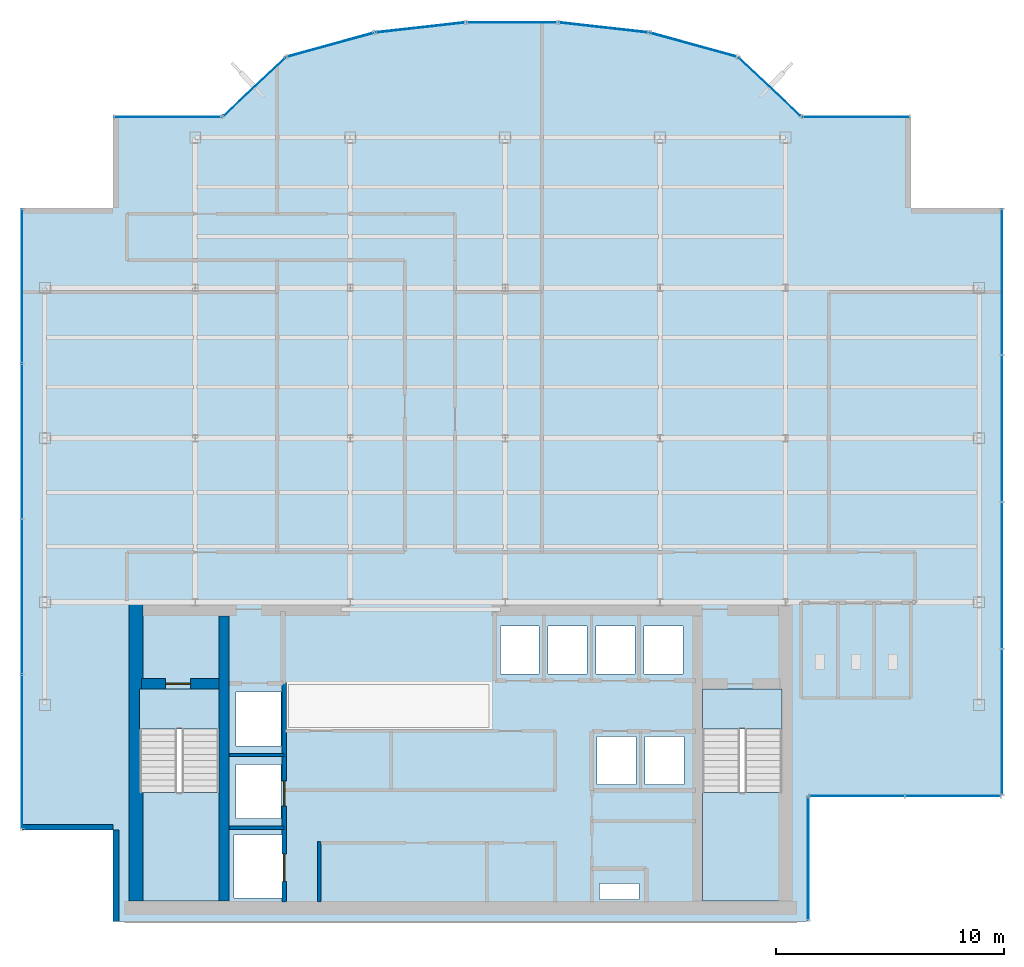
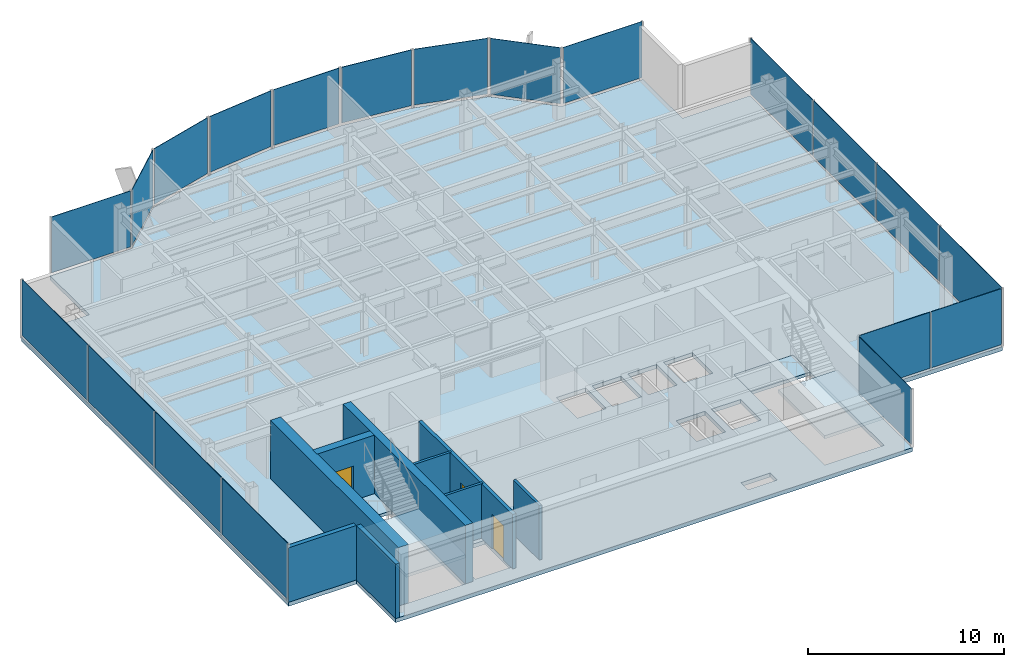
# One storey, part 16 of 22: 20 plates, 9 walls, 5 slabs, 3 doors, 3 openings, 15 elements without a shape of their own.
"""IFC4 building model written with IfcOpenShell, lengths in metres."""

from ifc_helpers import new_model, si_unit, derived_unit, direction, frame, frame_2d, origin, origin_2d, place, context, subcontext, project, spatial, polyline, rectangle, outline, extrude, source, transform, mapped, material, layer, layer_set, type_object, element, fill, aggregate, save


model = new_model("IFC4")

# Units and contexts
model_context = context("Model", 3, precision=1e-05, world=origin(), true_north=direction((0.0, 1.0)))
body_context = subcontext(model_context, "Body", "Model", "MODEL_VIEW")
ifc_project = project(units=[si_unit("LENGTHUNIT", "METRE"), si_unit("AREAUNIT", "SQUARE_METRE"), si_unit("VOLUMEUNIT", "CUBIC_METRE"), si_unit("PLANEANGLEUNIT", "RADIAN"), si_unit("MASSUNIT", "GRAM", prefix="KILO"), derived_unit("THERMALTRANSMITTANCEUNIT", [(si_unit("POWERUNIT", "WATT"), 1), (si_unit("LENGTHUNIT", "METRE"), -2), (si_unit("THERMODYNAMICTEMPERATUREUNIT", "KELVIN"), -1)])], contexts=[model_context])

# Site, building, storey
site_placement = place(None, origin())
site = spatial("IfcSite", under=ifc_project, at=site_placement, CompositionType="ELEMENT")
building_placement = place(site_placement, origin())
building = spatial("IfcBuilding", under=site, at=building_placement, Name="Skarnbrae Concourse Arena and Tower", CompositionType="ELEMENT")
storey_placement = place(building_placement, frame((0.0, 0.0, 214.14990234375)))
storey = spatial("IfcBuildingStorey", under=building, at=storey_placement, Name="L55", CompositionType="ELEMENT", Elevation=214.14990234375)

# Stair, slab
ifc_material_1 = material(Name="Concrete 40 MPa (C40/50)", Category="concrete")
stair_type = type_object("IfcStairType", Name="STAIR-DOGLEG-1650", PredefinedType="HALF_TURN_STAIR", material=ifc_material_1)
stair_1_placement = place(storey_placement, origin())
stair_1 = element("IfcStair", 1, at=stair_1_placement, inside=storey, type_object=stair_type, Name="L55 Protected Exit Stair ST-1", PredefinedType="HALF_TURN_STAIR")
ifc_layer_1 = layer(ifc_material_1, 0.199951171875)
ifc_layer_set_1 = layer_set([ifc_layer_1], Name="Concrete 40 MPa (C40/50)")
slab_type_1 = type_object("IfcSlabType", Name="SLAB-LANDING-200", PredefinedType="LANDING", material=ifc_layer_set_1)
slab_1_placement = place(storey_placement, frame((0.0, 0.0, 1.625)))
slab_1 = element("IfcSlab", 2, at=slab_1_placement, type_object=slab_type_1, Name="ST-1 landing 1", PredefinedType="LANDING", context=body_context, shape_type="SweptSolid", body=[
    extrude(outline(polyline([(5.14990234375, 5.64990234375), (5.14990234375, 0.89990234375), (8.64990234375, 0.89990234375), (8.64990234375, 5.64990234375), (5.14990234375, 5.64990234375)])), origin(), (0.0, 0.0, 1.0), 0.2001953125),
])
aggregate(stair_1, [slab_1])

stair_2_placement = place(storey_placement, origin())
stair_2 = element("IfcStair", 3, at=stair_2_placement, inside=storey, type_object=stair_type, Name="L55 Protected Exit Stair ST-2", PredefinedType="HALF_TURN_STAIR")
slab_2_placement = place(storey_placement, frame((0.0, 0.0, 1.625)))
slab_2 = element("IfcSlab", 4, at=slab_2_placement, type_object=slab_type_1, Name="ST-2 landing 1", PredefinedType="LANDING", context=body_context, shape_type="SweptSolid", body=[
    extrude(outline(polyline([(29.85009765625, 5.64990234375), (29.85009765625, 0.89990234375), (33.35009765625, 0.89990234375), (33.35009765625, 5.64990234375), (29.85009765625, 5.64990234375)])), origin(), (0.0, 0.0, 1.0), 0.2001953125),
])
aggregate(stair_2, [slab_2])

# Slabs
slab_3_placement = place(storey_placement, frame((0.0, 0.0, -0.199951171875)))
element("IfcSlab", 5, at=slab_3_placement, inside=storey, type_object=slab_type_1, Name="L55 Core stair ST1 floor landing", PredefinedType="LANDING", context=body_context, shape_type="SweptSolid", body=[
    extrude(outline(polyline([(5.14990234375, 10.199951171875), (5.14990234375, 8.449951171875), (8.64990234375, 8.449951171875), (8.64990234375, 10.199951171875), (5.14990234375, 10.199951171875)])), origin(), (0.0, 0.0, 1.0), 0.199951171875),
])
slab_4_placement = place(storey_placement, frame((0.0, 0.0, -0.199951171875)))
element("IfcSlab", 6, at=slab_4_placement, inside=storey, type_object=slab_type_1, Name="L55 Core stair ST2 floor landing", PredefinedType="LANDING", context=body_context, shape_type="SweptSolid", body=[
    extrude(outline(polyline([(29.85009765625, 10.199951171875), (29.85009765625, 8.449951171875), (33.35009765625, 8.449951171875), (33.35009765625, 10.199951171875), (29.85009765625, 10.199951171875)])), origin(), (0.0, 0.0, 1.0), 0.199951171875),
])
ifc_layer_2 = layer(ifc_material_1, 0.25)
ifc_layer_set_2 = layer_set([ifc_layer_2], Name="Concrete 40 MPa (C40/50)")
slab_type_2 = type_object("IfcSlabType", Name="SLAB-TOWER-250", PredefinedType="FLOOR", material=ifc_layer_set_2)
slab_5_placement = place(storey_placement, frame((0.0, 0.0, -0.25)))
element("IfcSlab", 7, at=slab_5_placement, inside=storey, type_object=slab_type_2, Name="L55 Structural floor slab", PredefinedType="FLOOR", context=body_context, shape_type="SweptSolid", body=[
    extrude(outline(polyline([(4.0, 0.0), (34.5, 0.0), (34.5, 5.5), (43.0, 5.5), (43.0, 31.300048828125), (39.0, 31.300048828125), (39.0, 35.300048828125), (34.199951171875, 35.300048828125), (31.40966796875, 37.9267578125), (27.52587890625, 38.9970703125), (23.51708984375, 39.44677734375), (19.48291015625, 39.44677734375), (15.47412109375, 38.9970703125), (11.59033203125, 37.9267578125), (8.800048828125, 35.300048828125), (4.0, 35.300048828125), (4.0, 31.300048828125), (0.0, 31.300048828125), (0.0, 4.0), (4.0, 4.0), (4.0, 0.0)]), holes=[polyline([(9.294921875, 1.02001953125), (9.294921875, 3.780029296875), (11.455078125, 3.780029296875), (11.455078125, 1.02001953125), (9.294921875, 1.02001953125)]), polyline([(8.64990234375, 10.199951171875), (8.64990234375, 0.89990234375), (5.14990234375, 0.89990234375), (5.14990234375, 10.199951171875), (8.64990234375, 10.199951171875)]), polyline([(9.39501953125, 6.8798828125), (11.35498046875, 6.8798828125), (11.35498046875, 4.52001953125), (9.39501953125, 4.52001953125), (9.39501953125, 6.8798828125)]), polyline([(9.39501953125, 7.695068359375), (9.39501953125, 10.054931640625), (11.35498046875, 10.054931640625), (11.35498046875, 7.695068359375), (9.39501953125, 7.695068359375)]), polyline([(20.985107421875, 12.955078125), (22.695068359375, 12.955078125), (22.695068359375, 10.844970703125), (20.985107421875, 10.844970703125), (20.985107421875, 12.955078125)]), polyline([(23.0849609375, 12.955078125), (24.794921875, 12.955078125), (24.794921875, 10.844970703125), (23.0849609375, 10.844970703125), (23.0849609375, 12.955078125)]), polyline([(25.35009765625, 0.949951171875), (25.35009765625, 1.669921875), (27.080078125, 1.669921875), (27.080078125, 0.949951171875), (25.35009765625, 0.949951171875)]), polyline([(33.35009765625, 10.199951171875), (33.35009765625, 0.89990234375), (29.85009765625, 0.89990234375), (29.85009765625, 10.199951171875), (33.35009765625, 10.199951171875)]), polyline([(25.235107421875, 8.10498046875), (26.945068359375, 8.10498046875), (26.945068359375, 5.9951171875), (25.235107421875, 5.9951171875), (25.235107421875, 8.10498046875)]), polyline([(27.3349609375, 5.9951171875), (27.3349609375, 8.10498046875), (29.044921875, 8.10498046875), (29.044921875, 5.9951171875), (27.3349609375, 5.9951171875)]), polyline([(25.18505859375, 12.955078125), (26.89501953125, 12.955078125), (26.89501953125, 10.844970703125), (25.18505859375, 10.844970703125), (25.18505859375, 12.955078125)]), polyline([(27.284912109375, 12.955078125), (28.9951171875, 12.955078125), (28.9951171875, 10.844970703125), (27.284912109375, 10.844970703125), (27.284912109375, 12.955078125)])]), origin(), (0.0, 0.0, 1.0), 0.25),
])

# Curtain wall, plate
ifc_material_2 = material(Name="Bronze anodised aluminium 6063-T6", Category="aluminium")
curtain_wall_type_1 = type_object("IfcCurtainWallType", Name="CW-SYS-05-HIGHZONE", PredefinedType="USERDEFINED", material=ifc_material_2)
curtain_wall_1_placement = place(storey_placement, origin())
curtain_wall_1 = element("IfcCurtainWall", 8, at=curtain_wall_1_placement, inside=storey, type_object=curtain_wall_type_1, Name="L55 Unitised curtain wall CW-L55-E02", ObjectType="UNITISED CURTAIN WALL", PredefinedType="USERDEFINED")
ifc_material_3 = material(Name="Low-E triple insulating glass", Category="glass")
ifc_layer_3 = layer(ifc_material_3, 0.030029296875)
ifc_layer_set_3 = layer_set([ifc_layer_3], Name="Low-E triple insulating glass")
plate_type_1 = type_object("IfcPlateType", Name="CWP-CW-05", PredefinedType="CURTAIN_PANEL", material=ifc_layer_set_3)
shared_shape_1 = source(origin(), body_context, "Body", "SweptSolid", [
    extrude(rectangle(XDim=5.35009765625, YDim=0.030029296875, at=origin_2d()), origin(), (0.0, 0.0, 1.0), 3.5),
])
plate_1_placement = place(storey_placement, frame((34.5, 2.75, 0.150146484375), z_axis=(0.0, 0.0, 1.0), x_axis=(0.0, 1.0, 0.0)))
plate_1 = element("IfcPlate", 9, at=plate_1_placement, type_object=plate_type_1, Name="CW-L55-E02 Low-E Glazing Panel 1", PredefinedType="CURTAIN_PANEL", context=body_context, shape_type="MappedRepresentation", body=[
    mapped(shared_shape_1, transform((0.0, 0.0, 0.0))),
])
aggregate(curtain_wall_1, [plate_1])

# Curtain wall, plates
curtain_wall_2_placement = place(storey_placement, origin())
curtain_wall_2 = element("IfcCurtainWall", 10, at=curtain_wall_2_placement, inside=storey, type_object=curtain_wall_type_1, Name="L55 Unitised curtain wall CW-L55-E03", ObjectType="UNITISED CURTAIN WALL", PredefinedType="USERDEFINED")
shared_shape_2 = source(origin(), body_context, "Body", "SweptSolid", [
    extrude(rectangle(XDim=4.137451171875, YDim=0.030029296875, at=origin_2d()), origin(), (0.0, 0.0, 1.0), 3.5),
])
plate_2_placement = place(storey_placement, frame((36.643798828125, 5.5, 0.150146484375), z_axis=(0.0, 0.0, 1.0), x_axis=(1.0, 0.0, 0.0)))
plate_2 = element("IfcPlate", 11, at=plate_2_placement, type_object=plate_type_1, Name="CW-L55-E03 Low-E Glazing Panel 1", PredefinedType="CURTAIN_PANEL", context=body_context, shape_type="MappedRepresentation", body=[
    mapped(shared_shape_2, transform((0.0, 0.0, 0.0))),
])
plate_3_placement = place(storey_placement, frame((40.856201171875, 5.5, 0.150146484375), z_axis=(0.0, 0.0, 1.0), x_axis=(1.0, 0.0, 0.0)))
plate_3 = element("IfcPlate", 12, at=plate_3_placement, type_object=plate_type_1, Name="CW-L55-E03 Low-E Glazing Panel 2", PredefinedType="CURTAIN_PANEL", context=body_context, shape_type="MappedRepresentation", body=[
    mapped(shared_shape_2, transform((0.0, 0.0, 0.0))),
])
aggregate(curtain_wall_2, [plate_2, plate_3])

# Curtain wall, plate
curtain_wall_3_placement = place(storey_placement, origin())
curtain_wall_3 = element("IfcCurtainWall", 13, at=curtain_wall_3_placement, inside=storey, type_object=curtain_wall_type_1, Name="L55 Unitised curtain wall CW-L55-E07", ObjectType="UNITISED CURTAIN WALL", PredefinedType="USERDEFINED")
shared_shape_3 = source(origin(), body_context, "Body", "SweptSolid", [
    extrude(rectangle(XDim=4.64990234375, YDim=0.030029296875, at=origin_2d()), origin(), (0.0, 0.0, 1.0), 3.5),
])
plate_4_placement = place(storey_placement, frame((36.60009765625, 35.300048828125, 0.150146484375), z_axis=(0.0, 0.0, 1.0), x_axis=(-1.0, 0.0, 0.0)))
plate_4 = element("IfcPlate", 14, at=plate_4_placement, type_object=plate_type_1, Name="CW-L55-E07 Low-E Glazing Panel 1", PredefinedType="CURTAIN_PANEL", context=body_context, shape_type="MappedRepresentation", body=[
    mapped(shared_shape_3, transform((0.0, 0.0, 0.0))),
])
aggregate(curtain_wall_3, [plate_4])

curtain_wall_4_placement = place(storey_placement, origin())
curtain_wall_4 = element("IfcCurtainWall", 15, at=curtain_wall_4_placement, inside=storey, type_object=curtain_wall_type_1, Name="L55 Unitised curtain wall CW-L55-E15", ObjectType="UNITISED CURTAIN WALL", PredefinedType="USERDEFINED")
plate_5_placement = place(storey_placement, frame((6.39990234375, 35.300048828125, 0.150146484375), z_axis=(0.0, 0.0, 1.0), x_axis=(-1.0, 0.0, 0.0)))
plate_5 = element("IfcPlate", 16, at=plate_5_placement, type_object=plate_type_1, Name="CW-L55-E15 Low-E Glazing Panel 1", PredefinedType="CURTAIN_PANEL", context=body_context, shape_type="MappedRepresentation", body=[
    mapped(shared_shape_3, transform((0.0, 0.0, 0.0))),
])
aggregate(curtain_wall_4, [plate_5])

curtain_wall_5_placement = place(storey_placement, origin())
curtain_wall_5 = element("IfcCurtainWall", 17, at=curtain_wall_5_placement, inside=storey, type_object=curtain_wall_type_1, Name="L55 Unitised curtain wall CW-L55-E08", ObjectType="UNITISED CURTAIN WALL", PredefinedType="USERDEFINED")
shared_shape_4 = source(origin(), body_context, "Body", "SweptSolid", [
    extrude(rectangle(XDim=3.68212890625, YDim=0.030029296875, at=origin_2d()), origin(), (0.0, 0.0, 1.0), 3.5),
])
plate_6_placement = place(storey_placement, frame((32.804931640625, 36.61328125, 0.150146484375), z_axis=(0.0, 0.0, 1.0), x_axis=(-0.728130555214, 0.685438468838, 0.0)))
plate_6 = element("IfcPlate", 18, at=plate_6_placement, type_object=plate_type_1, Name="CW-L55-E08 Low-E Glazing Panel 1", PredefinedType="CURTAIN_PANEL", context=body_context, shape_type="MappedRepresentation", body=[
    mapped(shared_shape_4, transform((0.0, 0.0, 0.0))),
])
aggregate(curtain_wall_5, [plate_6])

curtain_wall_6_placement = place(storey_placement, origin())
curtain_wall_6 = element("IfcCurtainWall", 19, at=curtain_wall_6_placement, inside=storey, type_object=curtain_wall_type_1, Name="L55 Unitised curtain wall CW-L55-E14", ObjectType="UNITISED CURTAIN WALL", PredefinedType="USERDEFINED")
plate_7_placement = place(storey_placement, frame((10.195068359375, 36.61328125, 0.150146484375), z_axis=(0.0, 0.0, 1.0), x_axis=(-0.728130555214, -0.685438468838, 0.0)))
plate_7 = element("IfcPlate", 20, at=plate_7_placement, type_object=plate_type_1, Name="CW-L55-E14 Low-E Glazing Panel 1", PredefinedType="CURTAIN_PANEL", context=body_context, shape_type="MappedRepresentation", body=[
    mapped(shared_shape_4, transform((0.0, 0.0, 0.0))),
])
aggregate(curtain_wall_6, [plate_7])

# Curtain wall, plates
curtain_wall_7_placement = place(storey_placement, origin())
curtain_wall_7 = element("IfcCurtainWall", 21, at=curtain_wall_7_placement, inside=storey, type_object=curtain_wall_type_1, Name="L55 Unitised curtain wall CW-L55-E18", ObjectType="UNITISED CURTAIN WALL", PredefinedType="USERDEFINED")
shared_shape_5 = source(origin(), body_context, "Body", "SweptSolid", [
    extrude(rectangle(XDim=6.71240234375, YDim=0.030029296875, at=origin_2d()), origin(), (0.0, 0.0, 1.0), 3.5),
])
plate_8_placement = place(storey_placement, frame((0.0, 27.86865234375, 0.150146484375), z_axis=(0.0, 0.0, 1.0), x_axis=(0.0, -1.0, 0.0)))
plate_8 = element("IfcPlate", 22, at=plate_8_placement, type_object=plate_type_1, Name="CW-L55-E18 Low-E Glazing Panel 1", PredefinedType="CURTAIN_PANEL", context=body_context, shape_type="MappedRepresentation", body=[
    mapped(shared_shape_5, transform((0.0, 0.0, 0.0))),
])
plate_9_placement = place(storey_placement, frame((0.0, 7.431396484375, 0.150146484375), z_axis=(0.0, 0.0, 1.0), x_axis=(0.0, -1.0, 0.0)))
plate_9 = element("IfcPlate", 23, at=plate_9_placement, type_object=plate_type_1, Name="CW-L55-E18 Low-E Glazing Panel 4", PredefinedType="CURTAIN_PANEL", context=body_context, shape_type="MappedRepresentation", body=[
    mapped(shared_shape_5, transform((0.0, 0.0, 0.0))),
])
shared_shape_6 = source(origin(), body_context, "Body", "SweptSolid", [
    extrude(rectangle(XDim=6.75, YDim=0.030029296875, at=origin_2d()), origin(), (0.0, 0.0, 1.0), 3.5),
])
plate_10_placement = place(storey_placement, frame((0.0, 21.0625, 0.150146484375), z_axis=(0.0, 0.0, 1.0), x_axis=(0.0, -1.0, 0.0)))
plate_10 = element("IfcPlate", 24, at=plate_10_placement, type_object=plate_type_1, Name="CW-L55-E18 Low-E Glazing Panel 2", PredefinedType="CURTAIN_PANEL", context=body_context, shape_type="MappedRepresentation", body=[
    mapped(shared_shape_6, transform((0.0, 0.0, 0.0))),
])
plate_11_placement = place(storey_placement, frame((0.0, 14.237548828125, 0.150146484375), z_axis=(0.0, 0.0, 1.0), x_axis=(0.0, -1.0, 0.0)))
plate_11 = element("IfcPlate", 25, at=plate_11_placement, type_object=plate_type_1, Name="CW-L55-E18 Low-E Glazing Panel 3", PredefinedType="CURTAIN_PANEL", context=body_context, shape_type="MappedRepresentation", body=[
    mapped(shared_shape_6, transform((0.0, 0.0, 0.0))),
])
aggregate(curtain_wall_7, [plate_8, plate_10, plate_11, plate_9])

curtain_wall_8_placement = place(storey_placement, origin())
curtain_wall_8 = element("IfcCurtainWall", 26, at=curtain_wall_8_placement, inside=storey, type_object=curtain_wall_type_1, Name="L55 Unitised curtain wall CW-L55-E04", ObjectType="UNITISED CURTAIN WALL", PredefinedType="USERDEFINED")
shared_shape_7 = source(origin(), body_context, "Body", "SweptSolid", [
    extrude(rectangle(XDim=6.33740234375, YDim=0.030029296875, at=origin_2d()), origin(), (0.0, 0.0, 1.0), 3.5),
])
plate_12_placement = place(storey_placement, frame((43.0, 8.743896484375, 0.150146484375), z_axis=(0.0, 0.0, 1.0), x_axis=(0.0, 1.0, 0.0)))
plate_12 = element("IfcPlate", 27, at=plate_12_placement, type_object=plate_type_1, Name="CW-L55-E04 Low-E Glazing Panel 1", PredefinedType="CURTAIN_PANEL", context=body_context, shape_type="MappedRepresentation", body=[
    mapped(shared_shape_7, transform((0.0, 0.0, 0.0))),
])
plate_13_placement = place(storey_placement, frame((43.0, 28.05615234375, 0.150146484375), z_axis=(0.0, 0.0, 1.0), x_axis=(0.0, 1.0, 0.0)))
plate_13 = element("IfcPlate", 28, at=plate_13_placement, type_object=plate_type_1, Name="CW-L55-E04 Low-E Glazing Panel 4", PredefinedType="CURTAIN_PANEL", context=body_context, shape_type="MappedRepresentation", body=[
    mapped(shared_shape_7, transform((0.0, 0.0, 0.0))),
])
shared_shape_8 = source(origin(), body_context, "Body", "SweptSolid", [
    extrude(rectangle(XDim=6.375, YDim=0.030029296875, at=origin_2d()), origin(), (0.0, 0.0, 1.0), 3.5),
])
plate_14_placement = place(storey_placement, frame((43.0, 15.175048828125, 0.150146484375), z_axis=(0.0, 0.0, 1.0), x_axis=(0.0, 1.0, 0.0)))
plate_14 = element("IfcPlate", 29, at=plate_14_placement, type_object=plate_type_1, Name="CW-L55-E04 Low-E Glazing Panel 2", PredefinedType="CURTAIN_PANEL", context=body_context, shape_type="MappedRepresentation", body=[
    mapped(shared_shape_8, transform((0.0, 0.0, 0.0))),
])
plate_15_placement = place(storey_placement, frame((43.0, 21.625, 0.150146484375), z_axis=(0.0, 0.0, 1.0), x_axis=(0.0, 1.0, 0.0)))
plate_15 = element("IfcPlate", 30, at=plate_15_placement, type_object=plate_type_1, Name="CW-L55-E04 Low-E Glazing Panel 3", PredefinedType="CURTAIN_PANEL", context=body_context, shape_type="MappedRepresentation", body=[
    mapped(shared_shape_8, transform((0.0, 0.0, 0.0))),
])
aggregate(curtain_wall_8, [plate_12, plate_14, plate_15, plate_13])

# Curtain wall, plate
curtain_wall_type_2 = type_object("IfcCurtainWallType", Name="CW-SYS-03-PORTAL", PredefinedType="USERDEFINED", material=ifc_material_2)
curtain_wall_9_placement = place(storey_placement, origin())
curtain_wall_9 = element("IfcCurtainWall", 31, at=curtain_wall_9_placement, inside=storey, type_object=curtain_wall_type_2, Name="L55 Unitised curtain wall CW-L55-E09", ObjectType="UNITISED CURTAIN WALL", PredefinedType="USERDEFINED")
ifc_layer_4 = layer(ifc_material_3, 0.033935546875)
ifc_layer_set_4 = layer_set([ifc_layer_4], Name="Low-E triple insulating glass")
plate_type_2 = type_object("IfcPlateType", Name="CWP-CW-03", PredefinedType="CURTAIN_PANEL", material=ifc_layer_set_4)
shared_shape_9 = source(origin(), body_context, "Body", "SweptSolid", [
    extrude(rectangle(XDim=3.86865234375, YDim=0.033935546875, at=origin_2d()), origin(), (0.0, 0.0, 1.0), 3.47998046875),
])
plate_16_placement = place(storey_placement, frame((29.4677734375, 38.4619140625, 0.170166015625), z_axis=(0.0, 0.0, 1.0), x_axis=(-0.964057388766, 0.265694093207, 0.0)))
plate_16 = element("IfcPlate", 32, at=plate_16_placement, type_object=plate_type_2, Name="CW-L55-E09 Low-E Glazing Panel 1", PredefinedType="CURTAIN_PANEL", context=body_context, shape_type="MappedRepresentation", body=[
    mapped(shared_shape_9, transform((0.0, 0.0, 0.0))),
])
aggregate(curtain_wall_9, [plate_16])

curtain_wall_10_placement = place(storey_placement, origin())
curtain_wall_10 = element("IfcCurtainWall", 33, at=curtain_wall_10_placement, inside=storey, type_object=curtain_wall_type_2, Name="L55 Unitised curtain wall CW-L55-E13", ObjectType="UNITISED CURTAIN WALL", PredefinedType="USERDEFINED")
plate_17_placement = place(storey_placement, frame((13.5322265625, 38.4619140625, 0.170166015625), z_axis=(0.0, 0.0, 1.0), x_axis=(-0.964057388766, -0.265694093207, 0.0)))
plate_17 = element("IfcPlate", 34, at=plate_17_placement, type_object=plate_type_2, Name="CW-L55-E13 Low-E Glazing Panel 1", PredefinedType="CURTAIN_PANEL", context=body_context, shape_type="MappedRepresentation", body=[
    mapped(shared_shape_9, transform((0.0, 0.0, 0.0))),
])
aggregate(curtain_wall_10, [plate_17])

curtain_wall_11_placement = place(storey_placement, origin())
curtain_wall_11 = element("IfcCurtainWall", 35, at=curtain_wall_11_placement, inside=storey, type_object=curtain_wall_type_2, Name="L55 Unitised curtain wall CW-L55-E10", ObjectType="UNITISED CURTAIN WALL", PredefinedType="USERDEFINED")
shared_shape_10 = source(origin(), body_context, "Body", "SweptSolid", [
    extrude(rectangle(XDim=3.873779296875, YDim=0.033935546875, at=origin_2d()), origin(), (0.0, 0.0, 1.0), 3.47998046875),
])
plate_18_placement = place(storey_placement, frame((25.521484375, 39.221923828125, 0.170166015625), z_axis=(0.0, 0.0, 1.0), x_axis=(-0.993768891873, 0.111460259941, 0.0)))
plate_18 = element("IfcPlate", 36, at=plate_18_placement, type_object=plate_type_2, Name="CW-L55-E10 Low-E Glazing Panel 1", PredefinedType="CURTAIN_PANEL", context=body_context, shape_type="MappedRepresentation", body=[
    mapped(shared_shape_10, transform((0.0, 0.0, 0.0))),
])
aggregate(curtain_wall_11, [plate_18])

curtain_wall_12_placement = place(storey_placement, origin())
curtain_wall_12 = element("IfcCurtainWall", 37, at=curtain_wall_12_placement, inside=storey, type_object=curtain_wall_type_2, Name="L55 Unitised curtain wall CW-L55-E12", ObjectType="UNITISED CURTAIN WALL", PredefinedType="USERDEFINED")
plate_19_placement = place(storey_placement, frame((17.478515625, 39.221923828125, 0.170166015625), z_axis=(0.0, 0.0, 1.0), x_axis=(-0.993768891873, -0.111460259941, 0.0)))
plate_19 = element("IfcPlate", 38, at=plate_19_placement, type_object=plate_type_2, Name="CW-L55-E12 Low-E Glazing Panel 1", PredefinedType="CURTAIN_PANEL", context=body_context, shape_type="MappedRepresentation", body=[
    mapped(shared_shape_10, transform((0.0, 0.0, 0.0))),
])
aggregate(curtain_wall_12, [plate_19])

curtain_wall_13_placement = place(storey_placement, origin())
curtain_wall_13 = element("IfcCurtainWall", 39, at=curtain_wall_13_placement, inside=storey, type_object=curtain_wall_type_2, Name="L55 Unitised curtain wall CW-L55-E11", ObjectType="UNITISED CURTAIN WALL", PredefinedType="USERDEFINED")
shared_shape_11 = source(origin(), body_context, "Body", "SweptSolid", [
    extrude(rectangle(XDim=3.87451171875, YDim=0.033935546875, at=origin_2d()), origin(), (0.0, 0.0, 1.0), 3.47998046875),
])
plate_20_placement = place(storey_placement, frame((21.5, 39.44677734375, 0.170166015625), z_axis=(0.0, 0.0, 1.0), x_axis=(-1.0, 0.0, 0.0)))
plate_20 = element("IfcPlate", 40, at=plate_20_placement, type_object=plate_type_2, Name="CW-L55-E11 Low-E Glazing Panel 1", PredefinedType="CURTAIN_PANEL", context=body_context, shape_type="MappedRepresentation", body=[
    mapped(shared_shape_11, transform((0.0, 0.0, 0.0))),
])
aggregate(curtain_wall_13, [plate_20])

# Wall, opening, door
ifc_material_4 = material(Name="Concrete 50 MPa (C50/60)", Category="concrete")
ifc_layer_5 = layer(ifc_material_4, 0.449951171875)
ifc_layer_set_5 = layer_set([ifc_layer_5], Name="Concrete 50 MPa (C50/60)")
wall_type_1 = type_object("IfcWallType", Name="WALL-CORE-450-C50", PredefinedType="SHEAR", material=ifc_layer_set_5)
shared_shape_12 = source(origin(), body_context, "Body", "SweptSolid", [
    extrude(rectangle(XDim=3.389892578125, YDim=0.449951171875, at=frame_2d((1.69482421875, 0.0))), origin(), (0.0, 0.0, 1.0), 3.650146484375),
])
wall_1_placement = place(storey_placement, frame((5.25, 10.419921875, 0.0), z_axis=(0.0, 0.0, 1.0), x_axis=(1.0, 0.0, 0.0)))
wall_1 = element("IfcWall", 41, at=wall_1_placement, inside=storey, type_object=wall_type_1, Name="L55 Rear core shear wall CW-ST1-N", PredefinedType="SHEAR", context=body_context, shape_type="MappedRepresentation", body=[
    mapped(shared_shape_12, transform((0.0, 0.0, 0.0))),
])
opening_1_placement = place(wall_1_placement, frame((1.050048828125, 0.0, 0.0)))
opening_1 = element("IfcOpeningElement", 42, at=opening_1_placement, cuts=wall_1, Name="Opening DT-03", PredefinedType="OPENING", context=body_context, shape_type="SweptSolid", body=[
    extrude(rectangle(XDim=1.10009765625, YDim=2.14990234375, at=frame_2d((0.550048828125, 1.074951171875))), frame((0.0, 0.23486328125, 0.0), z_axis=(0.0, -1.0, 0.0), x_axis=(1.0, 0.0, 0.0)), (0.0, 0.0, 1.0), 0.469970703125),
])
ifc_material_5 = material(Name="Steel CSA G40.21 350W", Category="steel")
door_type_1 = type_object("IfcDoorType", Name="DOOR-FIRE-1100-90M", OperationType="NOTDEFINED", PredefinedType="DOOR", material=ifc_material_5)
shared_shape_13 = source(origin(), body_context, "Body", "SweptSolid", [
    extrude(rectangle(XDim=1.10009765625, YDim=2.14990234375, at=frame_2d((0.550048828125, 1.074951171875))), frame((0.0, 0.02490234375, 0.0), z_axis=(0.0, -1.0, 0.0), x_axis=(1.0, 0.0, 0.0)), (0.0, 0.0, 1.0), 0.050048828125),
])
door_1_placement = place(opening_1_placement, frame((1.10009765625, 0.0, 0.0), z_axis=(0.0, 0.0, 1.0), x_axis=(-1.0, 0.0, 0.0)))
door_1 = element("IfcDoor", 43, at=door_1_placement, inside=storey, type_object=door_type_1, Name="D-1672 Stair ST-1 Door", OperationType="SINGLE_SWING_LEFT", OverallHeight=2.14990234375, OverallWidth=1.10009765625, PredefinedType="DOOR", context=body_context, shape_type="MappedRepresentation", body=[
    mapped(shared_shape_13, transform((0.0, 0.0, 0.0))),
])
fill(opening_1, door_1)

# Walls
ifc_layer_6 = layer(ifc_material_4, 0.60009765625)
ifc_layer_set_6 = layer_set([ifc_layer_6], Name="Concrete 50 MPa (C50/60)")
wall_type_2 = type_object("IfcWallType", Name="WALL-CORE-600-C50", PredefinedType="SHEAR", material=ifc_layer_set_6)
shared_shape_14 = source(origin(), body_context, "Body", "SweptSolid", [
    extrude(rectangle(XDim=13.10009765625, YDim=0.60009765625, at=frame_2d((6.550048828125, 0.0))), origin(), (0.0, 0.0, 1.0), 3.650146484375),
])
wall_2_placement = place(storey_placement, frame((5.0, 0.89990234375, 0.0), z_axis=(0.0, 0.0, 1.0), x_axis=(0.0, 1.0, 0.0)))
element("IfcWall", 44, at=wall_2_placement, inside=storey, type_object=wall_type_2, Name="L55 Rear core shear wall CW-W", PredefinedType="SHEAR", context=body_context, shape_type="MappedRepresentation", body=[
    mapped(shared_shape_14, transform((0.0, 0.0, 0.0))),
])
shared_shape_15 = source(origin(), body_context, "Body", "SweptSolid", [
    extrude(rectangle(XDim=12.5, YDim=0.449951171875, at=frame_2d((6.25, 0.0))), origin(), (0.0, 0.0, 1.0), 3.650146484375),
])
wall_3_placement = place(storey_placement, frame((8.864990234375, 0.89990234375, 0.0), z_axis=(0.0, 0.0, 1.0), x_axis=(0.0, 1.0, 0.0)))
element("IfcWall", 45, at=wall_3_placement, inside=storey, type_object=wall_type_1, Name="L55 Rear core shear wall CW-WEB-W", PredefinedType="SHEAR", context=body_context, shape_type="MappedRepresentation", body=[
    mapped(shared_shape_15, transform((0.0, 0.0, 0.0))),
])
ifc_material_6 = material(Name="Precast concrete 40 MPa (C40/50)", Category="concrete")
ifc_layer_7 = layer(ifc_material_6, 0.25)
ifc_layer_set_7 = layer_set([ifc_layer_7], Name="Precast concrete 40 MPa (C40/50)")
wall_type_3 = type_object("IfcWallType", Name="WALL-EXT-SPANDREL-250", PredefinedType="STANDARD", material=ifc_layer_set_7)
shared_shape_16 = source(origin(), body_context, "Body", "SweptSolid", [
    extrude(rectangle(XDim=4.0, YDim=0.25, at=frame_2d((2.0, 0.0))), origin(), (0.0, 0.0, 1.0), 3.400146484375),
])
for number, where, z_axis, x_axis, name in (
    (46, (0.0, 4.125, 0.0), (0.0, 0.0, 1.0), (1.0, 0.0, 0.0), "L55 Notched corner insulated return wall 19"),
    (47, (4.125, 4.0, 0.0), (0.0, 0.0, 1.0), (0.0, -1.0, 0.0), "L55 Notched corner insulated return wall 20"),
):
    element("IfcWall", number, at=place(storey_placement, frame(where, z_axis=z_axis, x_axis=x_axis)), inside=storey, type_object=wall_type_3, Name=name, PredefinedType="STANDARD", context=body_context, shape_type="MappedRepresentation", body=[
        mapped(shared_shape_16, transform((0.0, 0.0, 0.0))),
    ])

# Wall, openings, doors
ifc_material_7 = material(Name="Gypsum board on cold-formed steel studs", Category="steel")
ifc_layer_8 = layer(ifc_material_7, 0.199951171875)
ifc_layer_set_8 = layer_set([ifc_layer_8], Name="Gypsum board on cold-formed steel studs")
wall_type_4 = type_object("IfcWallType", Name="WALL-PART-200-2HR", PredefinedType="PARTITIONING", material=ifc_layer_set_8)
shared_shape_17 = source(origin(), body_context, "Body", "SweptSolid", [
    extrude(rectangle(XDim=9.599853515625, YDim=0.199951171875, at=frame_2d((4.7998046875, 0.0))), origin(), (0.0, 0.0, 1.0), 3.400146484375),
])
wall_4_placement = place(storey_placement, frame((11.5, 0.85009765625, 0.0), z_axis=(0.0, 0.0, 1.0), x_axis=(0.0, 1.0, 0.0)))
wall_4 = element("IfcWall", 48, at=wall_4_placement, inside=storey, type_object=wall_type_4, Name="L55 Interior partition wall W-L55-FL-E", PredefinedType="PARTITIONING", context=body_context, shape_type="MappedRepresentation", body=[
    mapped(shared_shape_17, transform((0.0, 0.0, 0.0))),
])
opening_2_placement = place(wall_4_placement, frame((4.199951171875, 0.0, 0.0)))
opening_2 = element("IfcOpeningElement", 49, at=opening_2_placement, cuts=wall_4, Name="Opening LD-01", PredefinedType="OPENING", context=body_context, shape_type="SweptSolid", body=[
    extrude(rectangle(XDim=1.10009765625, YDim=2.14990234375, at=frame_2d((0.550048828125, 1.074951171875))), frame((0.0, 0.10986328125, 0.0), z_axis=(0.0, -1.0, 0.0), x_axis=(1.0, 0.0, 0.0)), (0.0, 0.0, 1.0), 0.219970703125),
])
opening_3_placement = place(wall_4_placement, frame((0.89990234375, 0.0, 0.0)))
opening_3 = element("IfcOpeningElement", 50, at=opening_3_placement, cuts=wall_4, Name="Opening LD-02", PredefinedType="OPENING", context=body_context, shape_type="SweptSolid", body=[
    extrude(rectangle(XDim=1.199951171875, YDim=2.14990234375, at=frame_2d((0.60009765625, 1.074951171875))), frame((0.0, 0.10986328125, 0.0), z_axis=(0.0, -1.0, 0.0), x_axis=(1.0, 0.0, 0.0)), (0.0, 0.0, 1.0), 0.219970703125),
])
door_type_2 = type_object("IfcDoorType", Name="DOOR-LIFT-SLIDE-1100", OperationType="SLIDING_TO_LEFT", PredefinedType="DOOR", material=ifc_material_5)
door_2_placement = place(opening_2_placement, frame((1.10009765625, 0.0, 0.0), z_axis=(0.0, 0.0, 1.0), x_axis=(-1.0, 0.0, 0.0)))
door_2 = element("IfcDoor", 51, at=door_2_placement, inside=storey, type_object=door_type_2, Name="D-1677 Firefighting Lift Landing Door FL-02", OperationType="SLIDING_TO_LEFT", OverallHeight=2.14990234375, OverallWidth=1.10009765625, PredefinedType="DOOR", context=body_context, shape_type="MappedRepresentation", body=[
    mapped(shared_shape_13, transform((0.0, 0.0, 0.0))),
])
fill(opening_2, door_2)
door_type_3 = type_object("IfcDoorType", Name="DOOR-LIFT-SLIDE-1200", OperationType="SLIDING_TO_LEFT", PredefinedType="DOOR", material=ifc_material_5)
shared_shape_18 = source(origin(), body_context, "Body", "SweptSolid", [
    extrude(rectangle(XDim=1.199951171875, YDim=2.14990234375, at=frame_2d((0.60009765625, 1.074951171875))), frame((0.0, 0.02490234375, 0.0), z_axis=(0.0, -1.0, 0.0), x_axis=(1.0, 0.0, 0.0)), (0.0, 0.0, 1.0), 0.050048828125),
])
door_3_placement = place(opening_3_placement, frame((1.199951171875, 0.0, 0.0), z_axis=(0.0, 0.0, 1.0), x_axis=(-1.0, 0.0, 0.0)))
door_3 = element("IfcDoor", 52, at=door_3_placement, inside=storey, type_object=door_type_3, Name="D-1678 Service Lift Landing Door SV-01", OperationType="SLIDING_TO_LEFT", OverallHeight=2.14990234375, OverallWidth=1.199951171875, PredefinedType="DOOR", context=body_context, shape_type="MappedRepresentation", body=[
    mapped(shared_shape_18, transform((0.0, 0.0, 0.0))),
])
fill(opening_3, door_3)

# Walls
ifc_layer_9 = layer(ifc_material_7, 0.14990234375)
ifc_layer_set_9 = layer_set([ifc_layer_9], Name="Gypsum board on cold-formed steel studs")
wall_type_5 = type_object("IfcWallType", Name="WALL-PART-150", PredefinedType="PARTITIONING", material=ifc_layer_set_9)
shared_shape_19 = source(origin(), body_context, "Body", "SweptSolid", [
    extrude(rectangle(XDim=2.39990234375, YDim=0.14990234375, at=frame_2d((1.199951171875, 0.0))), origin(), (0.0, 0.0, 1.0), 3.400146484375),
])
for number, where, z_axis, x_axis, name in (
    (53, (9.10009765625, 4.10009765625, 0.0), (0.0, 0.0, 1.0), (1.0, 0.0, 0.0), "L55 Interior partition wall W-L55-FL-D1"),
    (54, (9.10009765625, 7.300048828125, 0.0), (0.0, 0.0, 1.0), (1.0, 0.0, 0.0), "L55 Interior partition wall W-L55-FL-D2"),
):
    element("IfcWall", number, at=place(storey_placement, frame(where, z_axis=z_axis, x_axis=x_axis)), inside=storey, type_object=wall_type_5, Name=name, PredefinedType="PARTITIONING", context=body_context, shape_type="MappedRepresentation", body=[
        mapped(shared_shape_19, transform((0.0, 0.0, 0.0))),
    ])
ifc_layer_10 = layer(ifc_material_7, 0.14990234375)
ifc_layer_set_10 = layer_set([ifc_layer_10], Name="Gypsum board on cold-formed steel studs")
wall_type_6 = type_object("IfcWallType", Name="WALL-PART-150-1HR", PredefinedType="PARTITIONING", material=ifc_layer_set_10)
shared_shape_20 = source(origin(), body_context, "Body", "SweptSolid", [
    extrude(rectangle(XDim=2.64990234375, YDim=0.14990234375, at=frame_2d((1.324951171875, 0.0))), origin(), (0.0, 0.0, 1.0), 3.400146484375),
])
wall_5_placement = place(storey_placement, frame((13.050048828125, 0.85009765625, 0.0), z_axis=(0.0, 0.0, 1.0), x_axis=(0.0, 1.0, 0.0)))
element("IfcWall", 55, at=wall_5_placement, inside=storey, type_object=wall_type_6, Name="L55 Interior partition wall W-L55-B1M-W", PredefinedType="PARTITIONING", context=body_context, shape_type="MappedRepresentation", body=[
    mapped(shared_shape_20, transform((0.0, 0.0, 0.0))),
])

save(model, "model.ifc")
